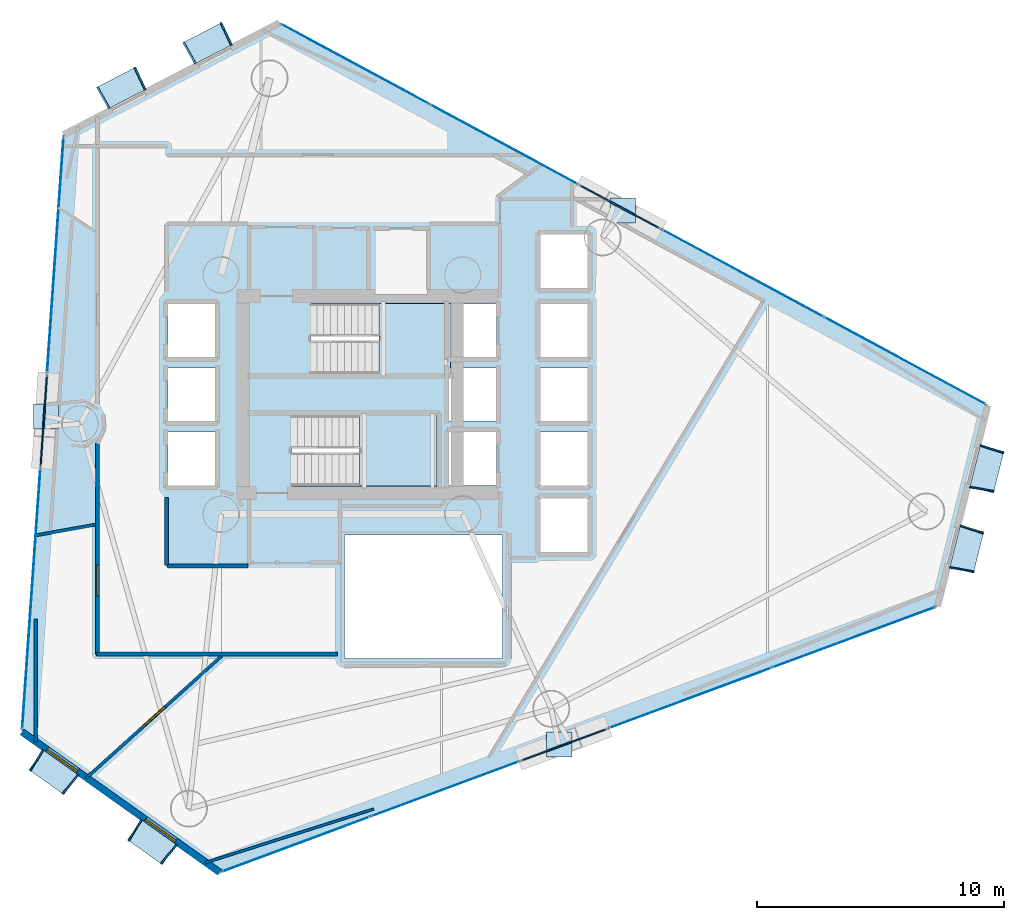
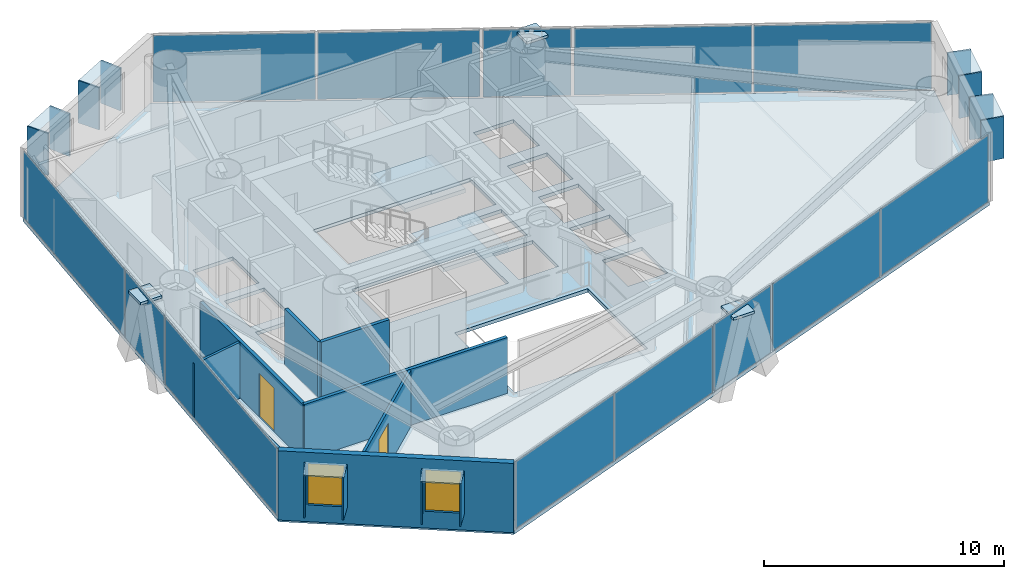
# One storey, part 15 of 21: 34 plates, 9 walls, 3 slabs, 2 doors, 2 windows, 4 openings, 11 elements without a shape of their own.
"""IFC4 building model written with IfcOpenShell, lengths in metres."""

from ifc_helpers import new_model, si_unit, direction, frame, frame_2d, origin, origin_2d, place, context, subcontext, project, spatial, polyline, rectangle, outline, extrude, material, layer, layer_set, type_object, element, fill, aggregate, save


model = new_model("IFC4")

# Units and contexts
model_context = context("Model", 3, precision=1e-05, world=origin(), true_north=direction((0.0, 1.0)))
body_context = subcontext(model_context, "Body", "Model", "MODEL_VIEW")
ifc_project = project(units=[si_unit("LENGTHUNIT", "METRE"), si_unit("AREAUNIT", "SQUARE_METRE"), si_unit("VOLUMEUNIT", "CUBIC_METRE"), si_unit("PLANEANGLEUNIT", "RADIAN"), si_unit("MASSUNIT", "GRAM", prefix="KILO")], contexts=[model_context])

# Site, building, storey
site_placement = place(None, origin())
site = spatial("IfcSite", under=ifc_project, at=site_placement, CompositionType="ELEMENT")
building_placement = place(site_placement, origin())
building = spatial("IfcBuilding", under=site, at=building_placement, Name="Qianvela Tower", CompositionType="ELEMENT")
storey_placement = place(building_placement, frame((0.0, 0.0, 127.39990234375)))
storey = spatial("IfcBuildingStorey", under=building, at=storey_placement, Name="L32", CompositionType="ELEMENT", Elevation=127.39990234375)

# Curtain wall, plate
ifc_material_1 = material(Name="Anodised Architectural Aluminium and Insulated Spandrel Panel", Category="aluminium")
ifc_layer_1 = layer(ifc_material_1, 0.179931640625)
ifc_layer_set_1 = layer_set([ifc_layer_1], Name="Anodised Architectural Aluminium and Insulated Spandrel Panel")
curtain_wall_type_1 = type_object("IfcCurtainWallType", Name="CW-BRACEBAY", PredefinedType="USERDEFINED", material=ifc_layer_set_1)
curtain_wall_1_placement = place(storey_placement, origin())
curtain_wall_1 = element("IfcCurtainWall", 1, at=curtain_wall_1_placement, inside=storey, type_object=curtain_wall_type_1, Name="L32 CW-BRACEBAY Curtain Wall 02B", ObjectType="CURTAIN_WALL_SYSTEM", PredefinedType="USERDEFINED")
ifc_material_2 = material(Name="Insulated Aluminium Spandrel Panel with Mineral-Wool Backpan", Category="aluminium")
ifc_layer_2 = layer(ifc_material_2, 0.06005859375)
ifc_layer_set_2 = layer_set([ifc_layer_2], Name="Insulated Aluminium Spandrel Panel with Mineral-Wool Backpan")
plate_type_1 = type_object("IfcPlateType", Name="CW-BRACEBAY-PNL", PredefinedType="CURTAIN_PANEL", material=ifc_layer_set_2)
plate_1_placement = place(storey_placement, frame((44.76416015625, 36.3125, 0.06494140625), z_axis=(0.0, 0.0, 1.0), x_axis=(-0.88003355033, 0.474911518383, 0.0)))
plate_1 = element("IfcPlate", 2, at=plate_1_placement, type_object=plate_type_1, Name="CW-9 panel 1.1", PredefinedType="CURTAIN_PANEL", context=body_context, shape_type="SweptSolid", body=[
    extrude(rectangle(XDim=3.659912109375, YDim=0.06005859375, at=origin_2d()), origin(), (0.0, 0.0, 1.0), 3.389892578125),
])
aggregate(curtain_wall_1, [plate_1])

curtain_wall_2_placement = place(storey_placement, origin())
curtain_wall_2 = element("IfcCurtainWall", 3, at=curtain_wall_2_placement, inside=storey, type_object=curtain_wall_type_1, Name="L32 CW-BRACEBAY Curtain Wall 04B", ObjectType="CURTAIN_WALL_SYSTEM", PredefinedType="USERDEFINED")
plate_2_placement = place(storey_placement, frame((21.408203125, 27.639892578125, 0.06494140625), z_axis=(0.0, 0.0, 1.0), x_axis=(-0.06976191132, -0.997563670013, 0.0)))
plate_2 = element("IfcPlate", 4, at=plate_2_placement, type_object=plate_type_1, Name="CW-9 panel 1.1", PredefinedType="CURTAIN_PANEL", context=body_context, shape_type="SweptSolid", body=[
    extrude(rectangle(XDim=3.659912109375, YDim=0.06005859375, at=origin_2d()), origin(), (0.0, 0.0, 1.0), 3.389892578125),
])
aggregate(curtain_wall_2, [plate_2])

curtain_wall_3_placement = place(storey_placement, origin())
curtain_wall_3 = element("IfcCurtainWall", 5, at=curtain_wall_3_placement, inside=storey, type_object=curtain_wall_type_1, Name="L32 CW-BRACEBAY Curtain Wall 06B", ObjectType="CURTAIN_WALL_SYSTEM", PredefinedType="USERDEFINED")
plate_3_placement = place(storey_placement, frame((42.50439453125, 14.497314453125, 0.06494140625), z_axis=(0.0, 0.0, 1.0), x_axis=(0.93756594086, 0.347807571135, 0.0)))
plate_3 = element("IfcPlate", 6, at=plate_3_placement, type_object=plate_type_1, Name="CW-9 panel 1.1", PredefinedType="CURTAIN_PANEL", context=body_context, shape_type="SweptSolid", body=[
    extrude(rectangle(XDim=3.659912109375, YDim=0.06005859375, at=origin_2d()), origin(), (0.0, 0.0, 1.0), 3.389892578125),
])
aggregate(curtain_wall_3, [plate_3])

# Curtain wall, plates
ifc_material_3 = material(Name="Anodised Architectural Aluminium and Low-E Glass", Category="aluminium")
ifc_layer_3 = layer(ifc_material_3, 0.169921875)
ifc_layer_set_3 = layer_set([ifc_layer_3], Name="Anodised Architectural Aluminium and Low-E Glass")
curtain_wall_type_2 = type_object("IfcCurtainWallType", Name="CW-COLIV-Z34", PredefinedType="USERDEFINED", material=ifc_layer_set_3)
curtain_wall_4_placement = place(storey_placement, origin())
curtain_wall_4 = element("IfcCurtainWall", 7, at=curtain_wall_4_placement, inside=storey, type_object=curtain_wall_type_2, Name="L32 CW-COLIV-Z34 Curtain Wall 02A", ObjectType="CURTAIN_WALL_SYSTEM", PredefinedType="USERDEFINED")
ifc_material_4 = material(Name="Double-Silver Low-E Insulated Glass", Category="glass")
ifc_layer_4 = layer(ifc_material_4, 0.028076171875)
ifc_layer_set_4 = layer_set([ifc_layer_4], Name="Double-Silver Low-E Insulated Glass")
plate_type_2 = type_object("IfcPlateType", Name="CW-COLIV-Z34-PNL", PredefinedType="CURTAIN_PANEL", material=ifc_layer_set_4)
plate_4_placement = place(storey_placement, frame((56.324462890625, 30.073974609375, 0.06494140625), z_axis=(0.0, 0.0, 1.0), x_axis=(-0.880038392858, 0.474902544841, 0.0)))
plate_4 = element("IfcPlate", 8, at=plate_4_placement, type_object=plate_type_2, Name="CW-4 panel 1.1", PredefinedType="CURTAIN_PANEL", context=body_context, shape_type="SweptSolid", body=[
    extrude(rectangle(XDim=7.407470703125, YDim=0.028076171875, at=origin_2d()), origin(), (0.0, 0.0, 1.0), 3.389892578125),
])
plate_5_placement = place(storey_placement, frame((49.74853515625, 33.622802734375, 0.06494140625), z_axis=(0.0, 0.0, 1.0), x_axis=(-0.880038392858, 0.474902544841, 0.0)))
plate_5 = element("IfcPlate", 9, at=plate_5_placement, type_object=plate_type_2, Name="CW-4 panel 2.1", PredefinedType="CURTAIN_PANEL", context=body_context, shape_type="SweptSolid", body=[
    extrude(rectangle(XDim=7.407470703125, YDim=0.028076171875, at=origin_2d()), origin(), (0.0, 0.0, 1.0), 3.389892578125),
])
aggregate(curtain_wall_4, [plate_4, plate_5])

curtain_wall_5_placement = place(storey_placement, origin())
curtain_wall_5 = element("IfcCurtainWall", 10, at=curtain_wall_5_placement, inside=storey, type_object=curtain_wall_type_2, Name="L32 CW-COLIV-Z34 Curtain Wall 02C", ObjectType="CURTAIN_WALL_SYSTEM", PredefinedType="USERDEFINED")
plate_6_placement = place(storey_placement, frame((40.058349609375, 38.851806640625, 0.06494140625), z_axis=(0.0, 0.0, 1.0), x_axis=(-0.880036652873, 0.47490576918, 0.0)))
plate_6 = element("IfcPlate", 11, at=plate_6_placement, type_object=plate_type_2, Name="CW-4 panel 1.1", PredefinedType="CURTAIN_PANEL", context=body_context, shape_type="SweptSolid", body=[
    extrude(rectangle(XDim=6.774658203125, YDim=0.028076171875, at=origin_2d()), origin(), (0.0, 0.0, 1.0), 3.389892578125),
])
plate_7_placement = place(storey_placement, frame((34.039306640625, 42.10009765625, 0.06494140625), z_axis=(0.0, 0.0, 1.0), x_axis=(-0.880036652873, 0.47490576918, 0.0)))
plate_7 = element("IfcPlate", 12, at=plate_7_placement, type_object=plate_type_2, Name="CW-4 panel 2.1", PredefinedType="CURTAIN_PANEL", context=body_context, shape_type="SweptSolid", body=[
    extrude(rectangle(XDim=6.774658203125, YDim=0.028076171875, at=origin_2d()), origin(), (0.0, 0.0, 1.0), 3.389892578125),
])
aggregate(curtain_wall_5, [plate_6, plate_7])

# Curtain wall, plate
curtain_wall_6_placement = place(storey_placement, origin())
curtain_wall_6 = element("IfcCurtainWall", 13, at=curtain_wall_6_placement, inside=storey, type_object=curtain_wall_type_2, Name="L32 CW-COLIV-Z34 Curtain Wall 04A", ObjectType="CURTAIN_WALL_SYSTEM", PredefinedType="USERDEFINED")
plate_8_placement = place(storey_placement, frame((21.8779296875, 34.3583984375, 0.06494140625), z_axis=(0.0, 0.0, 1.0), x_axis=(-0.069752231381, -0.997564346906, 0.0)))
plate_8 = element("IfcPlate", 14, at=plate_8_placement, type_object=plate_type_2, Name="CW-4 panel 1.1", PredefinedType="CURTAIN_PANEL", context=body_context, shape_type="SweptSolid", body=[
    extrude(rectangle(XDim=9.550048828125, YDim=0.028076171875, at=origin_2d()), origin(), (0.0, 0.0, 1.0), 3.389892578125),
])
aggregate(curtain_wall_6, [plate_8])

curtain_wall_7_placement = place(storey_placement, origin())
curtain_wall_7 = element("IfcCurtainWall", 15, at=curtain_wall_7_placement, inside=storey, type_object=curtain_wall_type_2, Name="L32 CW-COLIV-Z34 Curtain Wall 04C", ObjectType="CURTAIN_WALL_SYSTEM", PredefinedType="USERDEFINED")
plate_9_placement = place(storey_placement, frame((20.902587890625, 20.4091796875, 0.06494140625), z_axis=(0.0, 0.0, 1.0), x_axis=(-0.069750218555, -0.997564487646, 0.0)))
plate_9 = element("IfcPlate", 16, at=plate_9_placement, type_object=plate_type_2, Name="CW-4 panel 1.1", PredefinedType="CURTAIN_PANEL", context=body_context, shape_type="SweptSolid", body=[
    extrude(rectangle(XDim=10.57666015625, YDim=0.028076171875, at=origin_2d()), origin(), (0.0, 0.0, 1.0), 3.389892578125),
])
aggregate(curtain_wall_7, [plate_9])

# Curtain wall, plates
curtain_wall_8_placement = place(storey_placement, origin())
curtain_wall_8 = element("IfcCurtainWall", 17, at=curtain_wall_8_placement, inside=storey, type_object=curtain_wall_type_2, Name="L32 CW-COLIV-Z34 Curtain Wall 06A", ObjectType="CURTAIN_WALL_SYSTEM", PredefinedType="USERDEFINED")
plate_10_placement = place(storey_placement, frame((31.643798828125, 10.46826171875, 0.06494140625), z_axis=(0.0, 0.0, 1.0), x_axis=(0.937569185521, 0.347798824556, 0.0)))
plate_10 = element("IfcPlate", 18, at=plate_10_placement, type_object=plate_type_2, Name="CW-4 panel 1.1", PredefinedType="CURTAIN_PANEL", context=body_context, shape_type="SweptSolid", body=[
    extrude(rectangle(XDim=6.37255859375, YDim=0.028076171875, at=origin_2d()), origin(), (0.0, 0.0, 1.0), 3.389892578125),
])
plate_11_placement = place(storey_placement, frame((37.679443359375, 12.707275390625, 0.06494140625), z_axis=(0.0, 0.0, 1.0), x_axis=(0.937569185521, 0.347798824556, 0.0)))
plate_11 = element("IfcPlate", 19, at=plate_11_placement, type_object=plate_type_2, Name="CW-4 panel 2.1", PredefinedType="CURTAIN_PANEL", context=body_context, shape_type="SweptSolid", body=[
    extrude(rectangle(XDim=6.37255859375, YDim=0.028076171875, at=origin_2d()), origin(), (0.0, 0.0, 1.0), 3.389892578125),
])
aggregate(curtain_wall_8, [plate_10, plate_11])

curtain_wall_9_placement = place(storey_placement, origin())
curtain_wall_9 = element("IfcCurtainWall", 20, at=curtain_wall_9_placement, inside=storey, type_object=curtain_wall_type_2, Name="L32 CW-COLIV-Z34 Curtain Wall 06C", ObjectType="CURTAIN_WALL_SYSTEM", PredefinedType="USERDEFINED")
plate_12_placement = place(storey_placement, frame((47.626953125, 16.3974609375, 0.06494140625), z_axis=(0.0, 0.0, 1.0), x_axis=(0.937567994972, 0.347802033927, 0.0)))
plate_12 = element("IfcPlate", 21, at=plate_12_placement, type_object=plate_type_2, Name="CW-4 panel 1.1", PredefinedType="CURTAIN_PANEL", context=body_context, shape_type="SweptSolid", body=[
    extrude(rectangle(XDim=7.0078125, YDim=0.028076171875, at=origin_2d()), origin(), (0.0, 0.0, 1.0), 3.389892578125),
])
plate_13_placement = place(storey_placement, frame((54.258056640625, 18.857421875, 0.06494140625), z_axis=(0.0, 0.0, 1.0), x_axis=(0.937567994972, 0.347802033927, 0.0)))
plate_13 = element("IfcPlate", 22, at=plate_13_placement, type_object=plate_type_2, Name="CW-4 panel 2.1", PredefinedType="CURTAIN_PANEL", context=body_context, shape_type="SweptSolid", body=[
    extrude(rectangle(XDim=7.0078125, YDim=0.028076171875, at=origin_2d()), origin(), (0.0, 0.0, 1.0), 3.389892578125),
])
aggregate(curtain_wall_9, [plate_12, plate_13])

# Plates
ifc_material_5 = material(Name="Steel Q420GJC", Category="steel")
ifc_layer_5 = layer(ifc_material_5, 0.1298828125)
ifc_layer_set_5 = layer_set([ifc_layer_5], Name="Steel Q420GJC")
plate_type_3 = type_object("IfcPlateType", Name="PT-ENDCAP-130", PredefinedType="USERDEFINED", material=ifc_layer_set_5)
for number, where, z_axis, x_axis, name in (
    (23, (44.88427734375, 36.15673828125, 3.20947265625), (0.0, 0.0, 1.0), (1.0, 0.0, 0.0), "L32 Hollow Section End Cap Plate B"),
    (24, (21.50048828125, 27.8125, 3.20947265625), (0.0, 0.0, 1.0), (1.0, 0.0, 0.0), "L32 Hollow Section End Cap Plate B"),
    (25, (42.3115234375, 14.510986328125, 3.20947265625), (0.0, 0.0, 1.0), (1.0, 0.0, 0.0), "L32 Hollow Section End Cap Plate B"),
):
    element("IfcPlate", number, at=place(storey_placement, frame(where, z_axis=z_axis, x_axis=x_axis)), inside=storey, type_object=plate_type_3, Name=name, ObjectType="END_CAP", PredefinedType="USERDEFINED", context=body_context, shape_type="SweptSolid", body=[
        extrude(rectangle(XDim=1.02001953125, YDim=1.02001953125, at=origin_2d()), origin(), (0.0, 0.0, 1.0), 0.1298828125),
    ])

# Slab
ifc_material_6 = material(Name="Concrete C40", Category="concrete")
ifc_layer_6 = layer(ifc_material_6, 0.179931640625)
ifc_layer_set_6 = layer_set([ifc_layer_6], Name="Concrete C40")
slab_type_1 = type_object("IfcSlabType", Name="SL-FLOOR-180", PredefinedType="FLOOR", material=ifc_layer_set_6)
slab_1_placement = place(storey_placement, frame((0.0, 0.0, -0.179931640625)))
element("IfcSlab", 26, at=slab_1_placement, inside=storey, type_object=slab_type_1, Name="L32 Composite Structural Floor Slab", PredefinedType="FLOOR", context=body_context, shape_type="SweptSolid", body=[
    extrude(outline(polyline([(57.651123046875, 20.1162109375), (59.685302734375, 28.260498046875), (30.95703125, 43.76318359375), (22.218994140625, 39.236572265625), (20.525634765625, 15.018798828125), (28.548583984375, 9.3203125), (57.651123046875, 20.1162109375)]), holes=[polyline([(40.0, 23.0), (33.60009765625, 23.0), (33.60009765625, 18.0), (40.0, 18.0), (40.0, 23.0)]), polyline([(28.360107421875, 25.02001953125), (28.360107421875, 27.179931640625), (26.43994140625, 27.179931640625), (26.43994140625, 25.02001953125), (28.360107421875, 25.02001953125)]), polyline([(37.35009765625, 25.0), (37.35009765625, 27.860107421875), (31.469970703125, 27.860107421875), (31.469970703125, 25.0), (37.35009765625, 25.0)]), polyline([(28.360107421875, 27.6201171875), (28.360107421875, 29.780029296875), (26.43994140625, 29.780029296875), (26.43994140625, 27.6201171875), (28.360107421875, 27.6201171875)]), polyline([(37.89990234375, 32.3798828125), (37.89990234375, 32.39990234375), (32.25, 32.39990234375), (32.25, 29.5400390625), (37.840087890625, 29.5400390625), (37.840087890625, 27.6201171875), (39.760009765625, 27.6201171875), (39.760009765625, 29.780029296875), (37.89990234375, 29.780029296875), (37.89990234375, 30.219970703125), (39.760009765625, 30.219970703125), (39.760009765625, 32.3798828125), (37.89990234375, 32.3798828125)]), polyline([(28.360107421875, 30.219970703125), (28.360107421875, 32.3798828125), (26.43994140625, 32.3798828125), (26.43994140625, 30.219970703125), (28.360107421875, 30.219970703125)]), polyline([(43.4599609375, 24.47998046875), (41.5400390625, 24.47998046875), (41.5400390625, 22.320068359375), (43.4599609375, 22.320068359375), (43.4599609375, 24.47998046875)]), polyline([(39.760009765625, 25.02001953125), (39.760009765625, 27.179931640625), (37.840087890625, 27.179931640625), (37.840087890625, 25.02001953125), (39.760009765625, 25.02001953125)]), polyline([(43.4599609375, 25.02001953125), (43.4599609375, 27.179931640625), (41.5400390625, 27.179931640625), (41.5400390625, 25.02001953125), (43.4599609375, 25.02001953125)]), polyline([(43.4599609375, 27.6201171875), (43.4599609375, 29.780029296875), (41.5400390625, 29.780029296875), (41.5400390625, 27.6201171875), (43.4599609375, 27.6201171875)]), polyline([(43.4599609375, 30.219970703125), (43.4599609375, 32.3798828125), (41.5400390625, 32.3798828125), (41.5400390625, 30.219970703125), (43.4599609375, 30.219970703125)]), polyline([(43.4599609375, 33.02001953125), (43.4599609375, 35.179931640625), (41.5400390625, 35.179931640625), (41.5400390625, 33.02001953125), (43.4599609375, 33.02001953125)])]), origin(), (0.0, 0.0, 1.0), 0.179931640625),
])

# Stair, slab
ifc_material_7 = material(Name="Concrete C40", Category="concrete")
stair_type = type_object("IfcStairType", Name="ST-DOGLEG-1350-R168-N22", PredefinedType="HALF_TURN_STAIR", material=ifc_material_7)
stair_1_placement = place(storey_placement, origin())
stair_1 = element("IfcStair", 27, at=stair_1_placement, inside=storey, type_object=stair_type, Name="L32 Smoke-Proof Core Stair ST-1", PredefinedType="HALF_TURN_STAIR")
ifc_material_8 = material(Name="Concrete C40", Category="concrete")
ifc_layer_7 = layer(ifc_material_8, 0.199951171875)
ifc_layer_set_7 = layer_set([ifc_layer_7], Name="Concrete C40")
slab_type_2 = type_object("IfcSlabType", Name="SL-STAIR-LANDING-200", PredefinedType="LANDING", material=ifc_layer_set_7)
slab_2_placement = place(storey_placement, frame((0.0, 0.0, 1.650146484375)))
slab_2 = element("IfcSlab", 28, at=slab_2_placement, type_object=slab_type_2, Name="ST-1 landing 1", PredefinedType="LANDING", context=body_context, shape_type="SweptSolid", body=[
    extrude(outline(polyline([(35.0, 29.5400390625), (37.89990234375, 29.5400390625), (37.89990234375, 32.39990234375), (35.0, 32.39990234375), (35.0, 29.5400390625)])), origin(), (0.0, 0.0, 1.0), 0.199951171875),
])
aggregate(stair_1, [slab_2])

stair_2_placement = place(storey_placement, origin())
stair_2 = element("IfcStair", 29, at=stair_2_placement, inside=storey, type_object=stair_type, Name="L32 Smoke-Proof Core Stair ST-2", PredefinedType="HALF_TURN_STAIR")
slab_3_placement = place(storey_placement, frame((0.0, 0.0, 1.650146484375)))
slab_3 = element("IfcSlab", 30, at=slab_3_placement, type_object=slab_type_2, Name="ST-2 landing 1", PredefinedType="LANDING", context=body_context, shape_type="SweptSolid", body=[
    extrude(outline(polyline([(34.219970703125, 25.0), (37.35009765625, 25.0), (37.35009765625, 27.860107421875), (34.219970703125, 27.860107421875), (34.219970703125, 25.0)])), origin(), (0.0, 0.0, 1.0), 0.199951171875),
])
aggregate(stair_2, [slab_3])

# Plates
ifc_material_9 = material(Name="Vitrified Architectural Terracotta Panel", Category="masonry")
ifc_layer_8 = layer(ifc_material_9, 0.06005859375)
ifc_layer_set_8 = layer_set([ifc_layer_8], Name="Vitrified Architectural Terracotta Panel")
plate_type_4 = type_object("IfcPlateType", Name="TERRACOTTA-SUNSHADE-HOOD-FOLD-A", PredefinedType="USERDEFINED", material=ifc_layer_set_8)
for number, where, z_axis, x_axis, name in (
    (31, (58.838623046875, 22.415283203125, 2.9599609375), (0.0, 0.0, 1.0), (0.242311377765, 0.970198534428, 0.0), "L32 Terracotta Sunshade Hood FOLD-A"),
    (32, (59.652099609375, 25.673095703125, 2.9599609375), (0.0, 0.0, 1.0), (0.242311377765, 0.970198534428, 0.0), "L32 Terracotta Sunshade Hood FOLD-A"),
    (33, (21.805419921875, 13.380126953125, 2.9599609375), (0.0, 0.0, 1.0), (0.815269316486, -0.579081981758, 0.0), "L32 Terracotta Sunshade Hood FOLD-A"),
    (34, (25.797119140625, 10.544677734375, 2.9599609375), (0.0, 0.0, 1.0), (0.815269316486, -0.579081981758, 0.0), "L32 Terracotta Sunshade Hood FOLD-A"),
):
    element("IfcPlate", number, at=place(storey_placement, frame(where, z_axis=z_axis, x_axis=x_axis)), inside=storey, type_object=plate_type_4, Name=name, ObjectType="SUNSHADE", PredefinedType="USERDEFINED", context=body_context, shape_type="SweptSolid", body=[
        extrude(rectangle(XDim=1.739990234375, YDim=0.989990234375, at=origin_2d()), origin(), (0.0, 0.0, 1.0), 0.06005859375),
    ])
ifc_material_10 = material(Name="Vitrified Architectural Terracotta Panel", Category="masonry")
ifc_layer_9 = layer(ifc_material_10, 0.070068359375)
ifc_layer_set_9 = layer_set([ifc_layer_9], Name="Vitrified Architectural Terracotta Panel")
plate_type_5 = type_object("IfcPlateType", Name="TERRACOTTA-SUNSHADE-HOOD-FOLD-C", PredefinedType="USERDEFINED", material=ifc_layer_set_9)
for number, where, z_axis, x_axis, name in (
    (35, (28.06201171875, 42.93359375, 2.9599609375), (0.0, 0.0, 1.0), (-0.887927806652, -0.459982836825, 0.0), "L32 Terracotta Sunshade Hood FOLD-C"),
    (36, (24.566650390625, 41.122802734375, 2.9599609375), (0.0, 0.0, 1.0), (-0.887927806652, -0.459982836825, 0.0), "L32 Terracotta Sunshade Hood FOLD-C"),
):
    element("IfcPlate", number, at=place(storey_placement, frame(where, z_axis=z_axis, x_axis=x_axis)), inside=storey, type_object=plate_type_5, Name=name, ObjectType="SUNSHADE", PredefinedType="USERDEFINED", context=body_context, shape_type="SweptSolid", body=[
        extrude(rectangle(XDim=1.739990234375, YDim=0.989990234375, at=origin_2d()), origin(), (0.0, 0.0, 1.0), 0.06005859375),
    ])
ifc_material_11 = material(Name="Vitrified Architectural Terracotta Side Fin Panel", Category="masonry")
ifc_layer_10 = layer(ifc_material_11, 0.06494140625)
ifc_layer_set_10 = layer_set([ifc_layer_10], Name="Vitrified Architectural Terracotta Side Fin Panel")
plate_type_6 = type_object("IfcPlateType", Name="TERRACOTTA-SUNSHADE-STRUT-FOLD-A", PredefinedType="USERDEFINED", material=ifc_layer_set_10)
for number, where, z_axis, x_axis, name in (
    (37, (58.635009765625, 21.600341796875, 0.85009765625), (0.0, 0.0, 1.0), (0.174043490834, 0.984737966821, 0.0), "L32 Terracotta Sunshade Side Fin HL FOLD-A"),
    (38, (59.0419921875, 23.230224609375, 0.85009765625), (0.0, 0.0, 1.0), (0.309398748021, 0.950932392299, 0.0), "L32 Terracotta Sunshade Side Fin HR FOLD-A"),
    (39, (59.44873046875, 24.85791015625, 0.85009765625), (0.0, 0.0, 1.0), (0.174043490834, 0.984737966821, 0.0), "L32 Terracotta Sunshade Side Fin HL FOLD-A"),
    (40, (59.855712890625, 26.488037109375, 0.85009765625), (0.0, 0.0, 1.0), (0.309398748021, 0.950932392299, 0.0), "L32 Terracotta Sunshade Side Fin HR FOLD-A"),
    (41, (21.12060546875, 13.86669921875, 0.85009765625), (0.0, 0.0, 1.0), (0.853678078463, -0.520801054485, 0.0), "L32 Terracotta Sunshade Side Fin HL FOLD-A"),
    (42, (22.489990234375, 12.893798828125, 0.85009765625), (0.0, 0.0, 1.0), (0.77288864435, -0.634541679824, 0.0), "L32 Terracotta Sunshade Side Fin HR FOLD-A"),
    (43, (25.1123046875, 11.03125, 0.85009765625), (0.0, 0.0, 1.0), (0.853678078463, -0.520801054485, 0.0), "L32 Terracotta Sunshade Side Fin HL FOLD-A"),
    (44, (26.48193359375, 10.058349609375, 0.85009765625), (0.0, 0.0, 1.0), (0.77288864435, -0.634541679824, 0.0), "L32 Terracotta Sunshade Side Fin HR FOLD-A"),
):
    element("IfcPlate", number, at=place(storey_placement, frame(where, z_axis=z_axis, x_axis=x_axis)), inside=storey, type_object=plate_type_6, Name=name, ObjectType="SUNSHADE", PredefinedType="USERDEFINED", context=body_context, shape_type="SweptSolid", body=[
        extrude(rectangle(XDim=0.06494140625, YDim=1.010009765625, at=origin_2d()), origin(), (0.0, 0.0, 1.0), 2.159912109375),
    ])
ifc_material_12 = material(Name="Vitrified Architectural Terracotta Side Fin Panel", Category="masonry")
ifc_layer_11 = layer(ifc_material_12, 0.074951171875)
ifc_layer_set_11 = layer_set([ifc_layer_11], Name="Vitrified Architectural Terracotta Side Fin Panel")
plate_type_7 = type_object("IfcPlateType", Name="TERRACOTTA-SUNSHADE-STRUT-FOLD-C", PredefinedType="USERDEFINED", material=ifc_layer_set_11)
for number, where, z_axis, x_axis, name in (
    (45, (28.807861328125, 43.320068359375, 0.85009765625), (0.0, 0.0, 1.0), (-0.90344007452, -0.428714394149, 0.0), "L32 Terracotta Sunshade Side Fin HL FOLD-C"),
    (46, (27.316162109375, 42.547119140625, 0.85009765625), (0.0, 0.0, 1.0), (-0.871333735526, -0.49069086127, 0.0), "L32 Terracotta Sunshade Side Fin HR FOLD-C"),
    (47, (25.3125, 41.50927734375, 0.85009765625), (0.0, 0.0, 1.0), (-0.90344007452, -0.428714394149, 0.0), "L32 Terracotta Sunshade Side Fin HL FOLD-C"),
    (48, (23.82080078125, 40.736572265625, 0.85009765625), (0.0, 0.0, 1.0), (-0.871333735526, -0.49069086127, 0.0), "L32 Terracotta Sunshade Side Fin HR FOLD-C"),
):
    element("IfcPlate", number, at=place(storey_placement, frame(where, z_axis=z_axis, x_axis=x_axis)), inside=storey, type_object=plate_type_7, Name=name, ObjectType="SUNSHADE", PredefinedType="USERDEFINED", context=body_context, shape_type="SweptSolid", body=[
        extrude(rectangle(XDim=0.074951171875, YDim=1.010009765625, at=origin_2d()), origin(), (0.0, 0.0, 1.0), 2.159912109375),
    ])

# Wall, openings, windows
ifc_material_13 = material(Name="Terracotta Cladding on Concrete C40", Category="masonry")
ifc_layer_12 = layer(ifc_material_13, 0.280029296875)
ifc_layer_set_12 = layer_set([ifc_layer_12], Name="Terracotta Cladding on Concrete C40")
wall_type_1 = type_object("IfcWallType", Name="TERRACOTTA-WALL-280", PredefinedType="SOLIDWALL", material=ifc_layer_set_12)
wall_1_placement = place(storey_placement, frame((20.525634765625, 15.018798828125, 0.0), z_axis=(0.0, 0.0, 1.0), x_axis=(0.81527780656, -0.579070028693, 0.0)))
wall_1 = element("IfcWall", 49, at=wall_1_placement, inside=storey, type_object=wall_type_1, Name="L32 Terracotta Chamfer Facet Wall 5", PredefinedType="SOLIDWALL", context=body_context, shape_type="SweptSolid", body=[
    extrude(rectangle(XDim=9.8408203125, YDim=0.280029296875, at=frame_2d((4.92041015625, 0.0))), origin(), (0.0, 0.0, 1.0), 3.52001953125),
])
opening_1_placement = place(wall_1_placement, frame((1.2421875, 0.0, 0.85009765625)))
opening_1 = element("IfcOpeningElement", 50, at=opening_1_placement, cuts=wall_1, Name="Opening W-02", PredefinedType="OPENING", context=body_context, shape_type="SweptSolid", body=[
    extrude(rectangle(XDim=1.5, YDim=2.10009765625, at=frame_2d((0.75, 1.050048828125))), frame((0.0, 0.14990234375, 0.0), z_axis=(0.0, -1.0, 0.0), x_axis=(1.0, 0.0, 0.0)), (0.0, 0.0, 1.0), 0.300048828125),
])
opening_2_placement = place(wall_1_placement, frame((6.138671875, 0.0, 0.85009765625)))
opening_2 = element("IfcOpeningElement", 51, at=opening_2_placement, cuts=wall_1, Name="Opening W-02", PredefinedType="OPENING", context=body_context, shape_type="SweptSolid", body=[
    extrude(rectangle(XDim=1.5, YDim=2.10009765625, at=frame_2d((0.75, 1.050048828125))), frame((0.0, 0.14990234375, 0.0), z_axis=(0.0, -1.0, 0.0), x_axis=(1.0, 0.0, 0.0)), (0.0, 0.0, 1.0), 0.300048828125),
])
ifc_material_14 = material(Name="Thermally Broken Aluminium and Low-E Glass", Category="aluminium")
window_type = type_object("IfcWindowType", Name="WIN-TC-1500x2100", PartitioningType="DOUBLE_PANEL_VERTICAL", PredefinedType="WINDOW", material=ifc_material_14)
window_1_placement = place(opening_1_placement, origin())
window_1 = element("IfcWindow", 52, at=window_1_placement, inside=storey, type_object=window_type, Name="L32 Chamfer Facet Window 5.1", OverallHeight=2.10009765625, OverallWidth=1.5, PartitioningType="SINGLE_PANEL", PredefinedType="WINDOW", context=body_context, shape_type="SweptSolid", body=[
    extrude(rectangle(XDim=1.5, YDim=2.10009765625, at=frame_2d((0.75, 1.050048828125))), frame((0.0, 0.030029296875, 0.0), z_axis=(0.0, -1.0, 0.0), x_axis=(1.0, 0.0, 0.0)), (0.0, 0.0, 1.0), 0.06005859375),
])
fill(opening_1, window_1)
window_2_placement = place(opening_2_placement, origin())
window_2 = element("IfcWindow", 53, at=window_2_placement, inside=storey, type_object=window_type, Name="L32 Chamfer Facet Window 5.2", OverallHeight=2.10009765625, OverallWidth=1.5, PartitioningType="SINGLE_PANEL", PredefinedType="WINDOW", context=body_context, shape_type="SweptSolid", body=[
    extrude(rectangle(XDim=1.5, YDim=2.10009765625, at=frame_2d((0.75, 1.050048828125))), frame((0.0, 0.030029296875, 0.0), z_axis=(0.0, -1.0, 0.0), x_axis=(1.0, 0.0, 0.0)), (0.0, 0.0, 1.0), 0.06005859375),
])
fill(opening_2, window_2)

# Walls
ifc_material_15 = material(Name="Fire-Rated Gypsum and Concrete Block", Category="concrete")
ifc_layer_13 = layer(ifc_material_15, 0.159912109375)
ifc_layer_set_13 = layer_set([ifc_layer_13], Name="Fire-Rated Gypsum and Concrete Block")
wall_type_2 = type_object("IfcWallType", Name="WT-CORR-160", PredefinedType="PARTITIONING", material=ifc_layer_set_13)
wall_2_placement = place(storey_placement, frame((26.388916015625, 24.530517578125, 0.0), z_axis=(0.0, 0.0, 1.0), x_axis=(0.0, -1.0, 0.0)))
element("IfcWall", 54, at=wall_2_placement, inside=storey, type_object=wall_type_2, Name="L32 Partition 49", PredefinedType="PARTITIONING", context=body_context, shape_type="SweptSolid", body=[
    extrude(rectangle(XDim=2.75048828125, YDim=0.159912109375, at=frame_2d((1.375244140625, 0.0))), origin(), (0.0, 0.0, 1.0), 2.840087890625),
])
wall_3_placement = place(storey_placement, frame((26.419921875, 21.7490234375, 0.0), z_axis=(0.0, 0.0, 1.0), x_axis=(1.0, 0.0, 0.0)))
element("IfcWall", 55, at=wall_3_placement, inside=storey, type_object=wall_type_2, Name="L32 Partition 50 seg 1", PredefinedType="PARTITIONING", context=body_context, shape_type="SweptSolid", body=[
    extrude(rectangle(XDim=3.280029296875, YDim=0.159912109375, at=frame_2d((1.64013671875, 0.0))), origin(), (0.0, 0.0, 1.0), 2.840087890625),
])
wall_4_placement = place(storey_placement, frame((33.320068359375, 18.180908203125, 0.0), z_axis=(0.0, 0.0, 1.0), x_axis=(-1.0, 0.0, 0.0)))
element("IfcWall", 56, at=wall_4_placement, inside=storey, type_object=wall_type_2, Name="L32 Partition 51", PredefinedType="PARTITIONING", context=body_context, shape_type="SweptSolid", body=[
    extrude(rectangle(XDim=9.77001953125, YDim=0.159912109375, at=frame_2d((4.885009765625, 0.0))), origin(), (0.0, 0.0, 1.0), 2.840087890625),
])

# Wall, opening, door
wall_5_placement = place(storey_placement, frame((23.5810546875, 18.14990234375, 0.0), z_axis=(0.0, 0.0, 1.0), x_axis=(0.0, 1.0, 0.0)))
wall_5 = element("IfcWall", 57, at=wall_5_placement, inside=storey, type_object=wall_type_2, Name="L32 Partition 52", PredefinedType="PARTITIONING", context=body_context, shape_type="SweptSolid", body=[
    extrude(rectangle(XDim=8.575439453125, YDim=0.159912109375, at=frame_2d((4.28759765625, 0.0))), origin(), (0.0, 0.0, 1.0), 2.840087890625),
])
opening_3_placement = place(wall_5_placement, frame((2.394287109375, 0.0, 0.0)))
opening_3 = element("IfcOpeningElement", 58, at=opening_3_placement, cuts=wall_5, Name="Opening D-LG1", PredefinedType="OPENING", context=body_context, shape_type="SweptSolid", body=[
    extrude(rectangle(XDim=1.25, YDim=2.199951171875, at=frame_2d((0.625, 1.10009765625))), frame((0.0, 0.08984375, 0.0), z_axis=(0.0, -1.0, 0.0), x_axis=(1.0, 0.0, 0.0)), (0.0, 0.0, 1.0), 0.179931640625),
])
ifc_material_16 = material(Name="Anodised Aluminium Acoustic Glass Door", Category="aluminium")
door_type = type_object("IfcDoorType", Name="DT-LOUNGE-1250", OperationType="NOTDEFINED", PredefinedType="DOOR", material=ifc_material_16)
door_1_placement = place(opening_3_placement, origin())
door_1 = element("IfcDoor", 59, at=door_1_placement, inside=storey, type_object=door_type, Name="L32 Door Commons Day Lounge L32-01 to L32 Floor Corridor", OperationType="SINGLE_SWING_RIGHT", OverallHeight=2.199951171875, OverallWidth=1.25, PredefinedType="DOOR", context=body_context, shape_type="SweptSolid", body=[
    extrude(rectangle(XDim=1.25, YDim=2.199951171875, at=frame_2d((0.625, 1.10009765625))), frame((0.0, 0.02490234375, 0.0), z_axis=(0.0, -1.0, 0.0), x_axis=(1.0, 0.0, 0.0)), (0.0, 0.0, 1.0), 0.050048828125),
])
fill(opening_3, door_1)

# Walls
ifc_material_17 = material(Name="Lightweight Gypsum Room Partition")
ifc_layer_14 = layer(ifc_material_17, 0.10498046875)
ifc_layer_set_14 = layer_set([ifc_layer_14], Name="Lightweight Gypsum Room Partition")
wall_type_3 = type_object("IfcWallType", Name="WT-PART-105", PredefinedType="PARTITIONING", material=ifc_layer_set_14)
wall_6_placement = place(storey_placement, frame((34.791748046875, 11.89208984375, 0.0), z_axis=(0.0, 0.0, 1.0), x_axis=(-0.952841649598, -0.303467940303, 0.0)))
element("IfcWall", 60, at=wall_6_placement, inside=storey, type_object=wall_type_3, Name="L32 Partition 89 seg 1", PredefinedType="PARTITIONING", context=body_context, shape_type="SweptSolid", body=[
    extrude(rectangle(XDim=7.168212890625, YDim=0.10498046875, at=frame_2d((3.583984375, 0.0))), origin(), (0.0, 0.0, 1.0), 2.840087890625),
])
ifc_material_18 = material(Name="Insulated Gypsum Stud Partition")
ifc_layer_15 = layer(ifc_material_18, 0.1201171875)
ifc_layer_set_15 = layer_set([ifc_layer_15], Name="Insulated Gypsum Stud Partition")
wall_type_4 = type_object("IfcWallType", Name="WT-PART-120", PredefinedType="PARTITIONING", material=ifc_layer_set_15)
wall_7_placement = place(storey_placement, frame((21.063232421875, 22.98583984375, 0.0), z_axis=(0.0, 0.0, 1.0), x_axis=(0.984366560864, 0.176131978505, 0.0)))
element("IfcWall", 61, at=wall_7_placement, inside=storey, type_object=wall_type_4, Name="L32 Partition 55", PredefinedType="PARTITIONING", context=body_context, shape_type="SweptSolid", body=[
    extrude(rectangle(XDim=2.45068359375, YDim=0.1201171875, at=frame_2d((1.225341796875, 0.0))), origin(), (0.0, 0.0, 1.0), 2.840087890625),
])

# Wall, opening, door
wall_8_placement = place(storey_placement, frame((28.613037109375, 18.093017578125, 0.0), z_axis=(0.0, 0.0, 1.0), x_axis=(-0.742996622941, -0.669295165303, 0.0)))
wall_8 = element("IfcWall", 62, at=wall_8_placement, inside=storey, type_object=wall_type_4, Name="L32 Partition 58", PredefinedType="PARTITIONING", context=body_context, shape_type="SweptSolid", body=[
    extrude(rectangle(XDim=7.386962890625, YDim=0.1201171875, at=frame_2d((3.693359375, 0.0))), origin(), (0.0, 0.0, 1.0), 2.840087890625),
])
opening_4_placement = place(wall_8_placement, frame((3.068603515625, 0.0, 0.0)))
opening_4 = element("IfcOpeningElement", 63, at=opening_4_placement, cuts=wall_8, Name="Opening D-LG1", PredefinedType="OPENING", context=body_context, shape_type="SweptSolid", body=[
    extrude(rectangle(XDim=1.25, YDim=2.199951171875, at=frame_2d((0.625, 1.10009765625))), frame((0.0, 0.070068359375, 0.0), z_axis=(0.0, -1.0, 0.0), x_axis=(1.0, 0.0, 0.0)), (0.0, 0.0, 1.0), 0.14013671875),
])
door_2_placement = place(opening_4_placement, origin())
door_2 = element("IfcDoor", 64, at=door_2_placement, inside=storey, type_object=door_type, Name="L32 Door Peer Support Study Room L32-04A to Commons Day Lounge L32-01", OperationType="SINGLE_SWING_LEFT", OverallHeight=2.199951171875, OverallWidth=1.25, PredefinedType="DOOR", context=body_context, shape_type="SweptSolid", body=[
    extrude(rectangle(XDim=1.25, YDim=2.199951171875, at=frame_2d((0.625, 1.10009765625))), frame((0.0, 0.02490234375, 0.0), z_axis=(0.0, -1.0, 0.0), x_axis=(1.0, 0.0, 0.0)), (0.0, 0.0, 1.0), 0.050048828125),
])
fill(opening_4, door_2)

# Wall
ifc_material_19 = material(Name="Acoustic Double Gypsum Stud Partition")
ifc_layer_16 = layer(ifc_material_19, 0.139892578125)
ifc_layer_set_16 = layer_set([ifc_layer_16], Name="Acoustic Double Gypsum Stud Partition")
wall_type_5 = type_object("IfcWallType", Name="WT-ROOM-140", PredefinedType="PARTITIONING", material=ifc_layer_set_16)
wall_9_placement = place(storey_placement, frame((21.07421875, 14.6083984375, 0.0), z_axis=(0.0, 0.0, 1.0), x_axis=(0.002399013904, 0.999997122362, 0.0)))
element("IfcWall", 65, at=wall_9_placement, inside=storey, type_object=wall_type_5, Name="L32 Partition 60 seg 1", PredefinedType="PARTITIONING", context=body_context, shape_type="SweptSolid", body=[
    extrude(rectangle(XDim=4.986572265625, YDim=0.139892578125, at=frame_2d((2.4931640625, 0.0))), origin(), (0.0, 0.0, 1.0), 2.840087890625),
])

save(model, "model.ifc")
